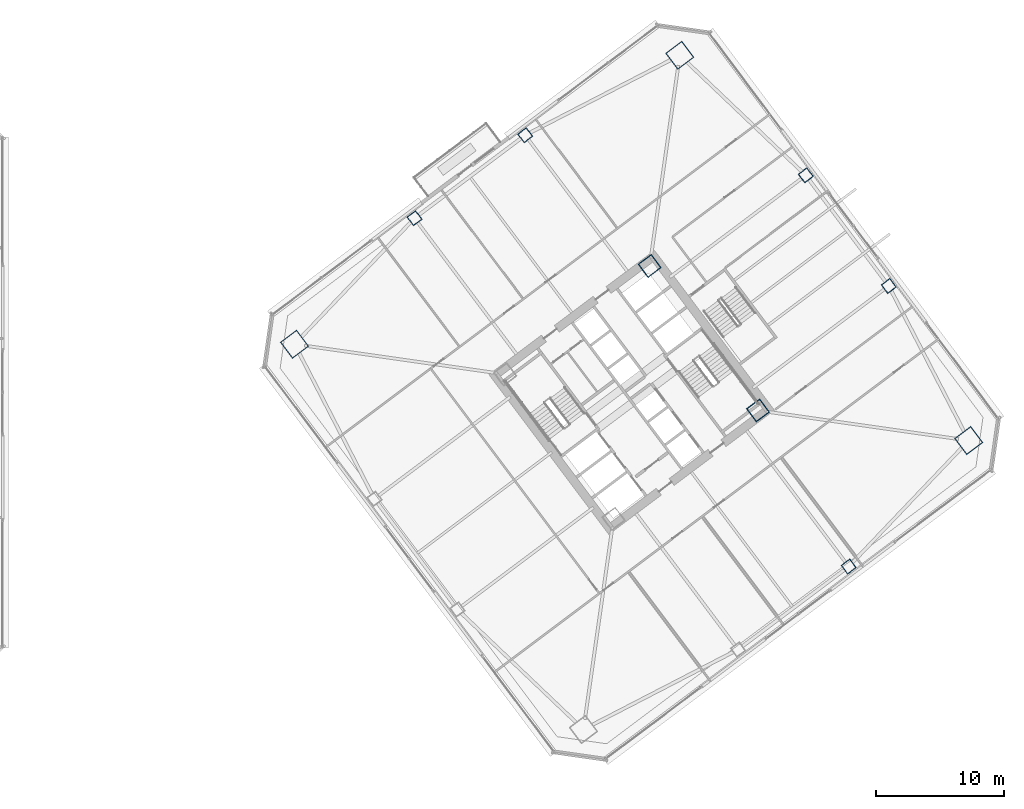
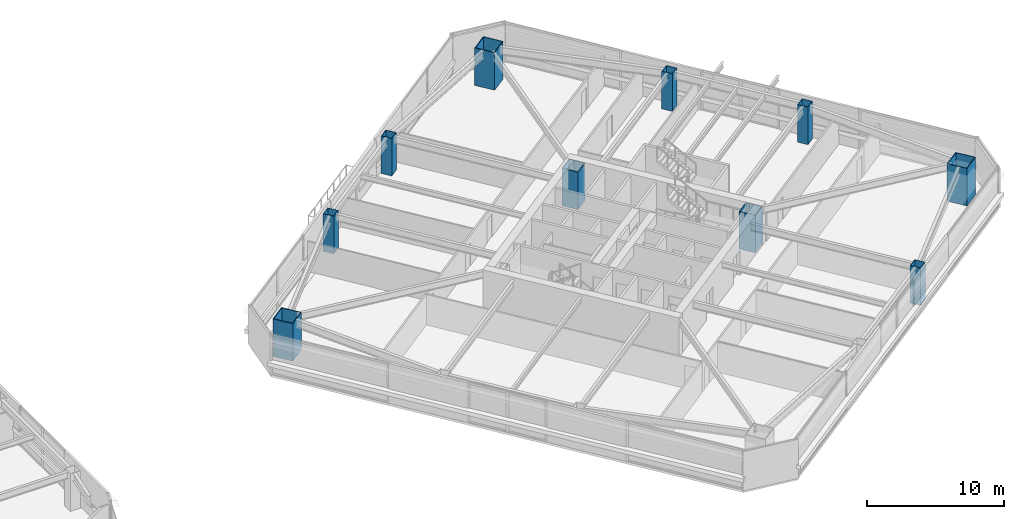
# One storey, part 2 of 46: 10 columns.
"""IFC4 building model written with IfcOpenShell, lengths in metres."""

from ifc_helpers import new_model, si_unit, direction, frame, origin, origin_2d, place, context, subcontext, project, spatial, hollow_rectangle, extrude, material, material_profile, profile_set, type_object, element, save


model = new_model("IFC4")

# Units and contexts
model_context = context("Model", 3, precision=1e-05, world=origin(), true_north=direction((0.0, 1.0)))
body_context = subcontext(model_context, "Body", "Model", "MODEL_VIEW")
ifc_project = project(units=[si_unit("LENGTHUNIT", "METRE"), si_unit("AREAUNIT", "SQUARE_METRE"), si_unit("VOLUMEUNIT", "CUBIC_METRE"), si_unit("PLANEANGLEUNIT", "RADIAN"), si_unit("MASSUNIT", "GRAM", prefix="KILO")], contexts=[model_context])

# Site, building, storey
site_placement = place(None, origin())
site = spatial("IfcSite", under=ifc_project, at=site_placement, CompositionType="ELEMENT")
building_placement = place(site_placement, origin())
building = spatial("IfcBuilding", under=site, at=building_placement, Name="Tashvorn Skyway Center", CompositionType="ELEMENT")
storey_placement = place(building_placement, frame((0.0, 0.0, 38.800048828125)))
storey = spatial("IfcBuildingStorey", under=building, at=storey_placement, Name="L09", CompositionType="ELEMENT", Elevation=38.800048828125)

# Columns
ifc_material = material(Name="Steel ASTM A572 Grade 50", Category="steel")
ifc_material_profile_1 = material_profile(ifc_material, hollow_rectangle(XDim=1.300048828125, YDim=1.300048828125, WallThickness=0.050048828125, at=origin_2d()), Name="BOX1300x1300x50")
ifc_profile_set_1 = profile_set([ifc_material_profile_1], Name="Steel ASTM A572 Grade 50")
column_type_1 = type_object("IfcColumnType", Name="COL-BOX1300x1300x50", PredefinedType="COLUMN", material=ifc_profile_set_1)
for number, where, z_axis, x_axis, name in (
    (1, (123.8701171875, 30.590087890625, 0.0), (0.0, 0.0, 1.0), (0.799999996291, 0.600000004945, 0.0), "Tower 2 L09 Core Corner Column CC-SE"),
    (2, (115.409912109375, 41.8701171875, 0.0), (0.0, 0.0, 1.0), (0.799999996291, 0.600000004945, 0.0), "Tower 2 L09 Core Corner Column CC-NE"),
):
    element("IfcColumn", number, at=place(storey_placement, frame(where, z_axis=z_axis, x_axis=x_axis)), inside=storey, type_object=column_type_1, Name=name, PredefinedType="COLUMN", context=body_context, shape_type="SweptSolid", body=[
        extrude(hollow_rectangle(XDim=1.300048828125, YDim=1.300048828125, WallThickness=0.050048828125, at=origin_2d()), origin(), (0.0, 0.0, 1.0), 3.349853515625),
    ])
ifc_material_profile_2 = material_profile(ifc_material, hollow_rectangle(XDim=1.60009765625, YDim=1.60009765625, WallThickness=0.06005859375, at=origin_2d()), Name="BOX1600x1600x60")
ifc_profile_set_2 = profile_set([ifc_material_profile_2], Name="Steel ASTM A572 Grade 50")
column_type_2 = type_object("IfcColumnType", Name="COL-BOX1600x1600x60", PredefinedType="COLUMN", material=ifc_profile_set_2)
for number, where, z_axis, x_axis, name in (
    (3, (140.320068359375, 28.239990234375, 0.0), (0.0, 0.0, 1.0), (0.799999996291, 0.600000004945, 0.0), "Tower 2 L09 Mega-Column MC-SE"),
    (4, (117.760009765625, 58.320068359375, 0.0), (0.0, 0.0, 1.0), (0.799999996291, 0.600000004945, 0.0), "Tower 2 L09 Mega-Column MC-NE"),
    (5, (87.679931640625, 35.760009765625, 0.0), (0.0, 0.0, 1.0), (0.799999996291, 0.600000004945, 0.0), "Tower 2 L09 Mega-Column MC-NW"),
):
    element("IfcColumn", number, at=place(storey_placement, frame(where, z_axis=z_axis, x_axis=x_axis)), inside=storey, type_object=column_type_2, Name=name, PredefinedType="COLUMN", context=body_context, shape_type="SweptSolid", body=[
        extrude(hollow_rectangle(XDim=1.60009765625, YDim=1.60009765625, WallThickness=0.06005859375, at=origin_2d()), origin(), (0.0, 0.0, 1.0), 3.349853515625),
    ])
ifc_material_profile_3 = material_profile(ifc_material, hollow_rectangle(XDim=0.85009765625, YDim=0.85009765625, WallThickness=0.034912109375, at=origin_2d()), Name="BOX850x850x35")
ifc_profile_set_3 = profile_set([ifc_material_profile_3], Name="Steel ASTM A572 Grade 50")
column_type_3 = type_object("IfcColumnType", Name="COL-BOX850x850x35", PredefinedType="COLUMN", material=ifc_profile_set_3)
for number, where, z_axis, x_axis, name in (
    (6, (130.949951171875, 18.39990234375, 0.0), (0.0, 0.0, 1.0), (0.799999996291, 0.600000004945, 0.0), "Tower 2 L09 Perimeter Column FC-S2"),
    (7, (134.080078125, 40.31005859375, 0.0), (0.0, 0.0, 1.0), (0.799999996291, 0.600000004945, 0.0), "Tower 2 L09 Perimeter Column FC-E1"),
    (8, (127.60009765625, 48.949951171875, 0.0), (0.0, 0.0, 1.0), (0.799999996291, 0.600000004945, 0.0), "Tower 2 L09 Perimeter Column FC-E2"),
    (9, (105.68994140625, 52.080078125, 0.0), (0.0, 0.0, 1.0), (0.799999996291, 0.600000004945, 0.0), "Tower 2 L09 Perimeter Column FC-N1"),
    (10, (97.050048828125, 45.60009765625, 0.0), (0.0, 0.0, 1.0), (0.799999996291, 0.600000004945, 0.0), "Tower 2 L09 Perimeter Column FC-N2"),
):
    element("IfcColumn", number, at=place(storey_placement, frame(where, z_axis=z_axis, x_axis=x_axis)), inside=storey, type_object=column_type_3, Name=name, PredefinedType="COLUMN", context=body_context, shape_type="SweptSolid", body=[
        extrude(hollow_rectangle(XDim=0.85009765625, YDim=0.85009765625, WallThickness=0.034912109375, at=origin_2d()), origin(), (0.0, 0.0, 1.0), 3.349853515625),
    ])

save(model, "model.ifc")
